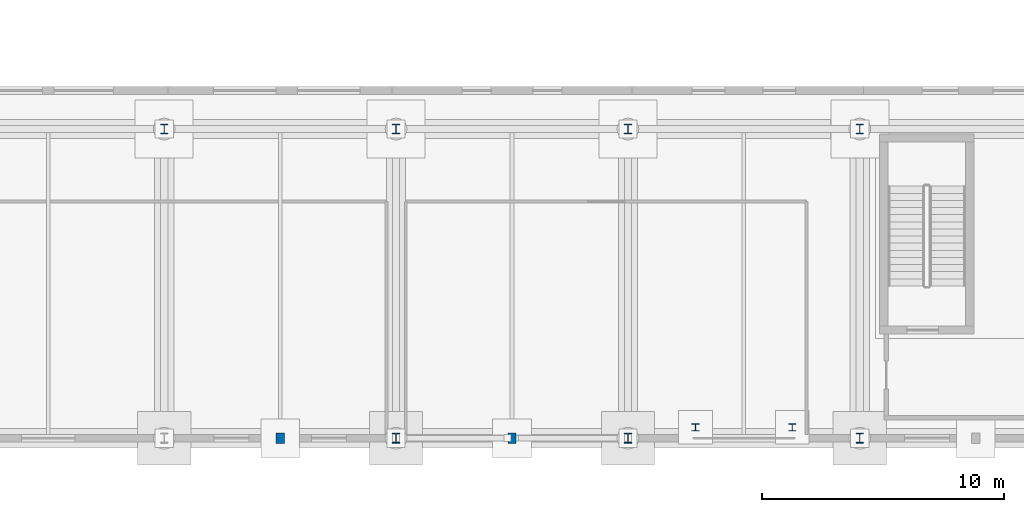
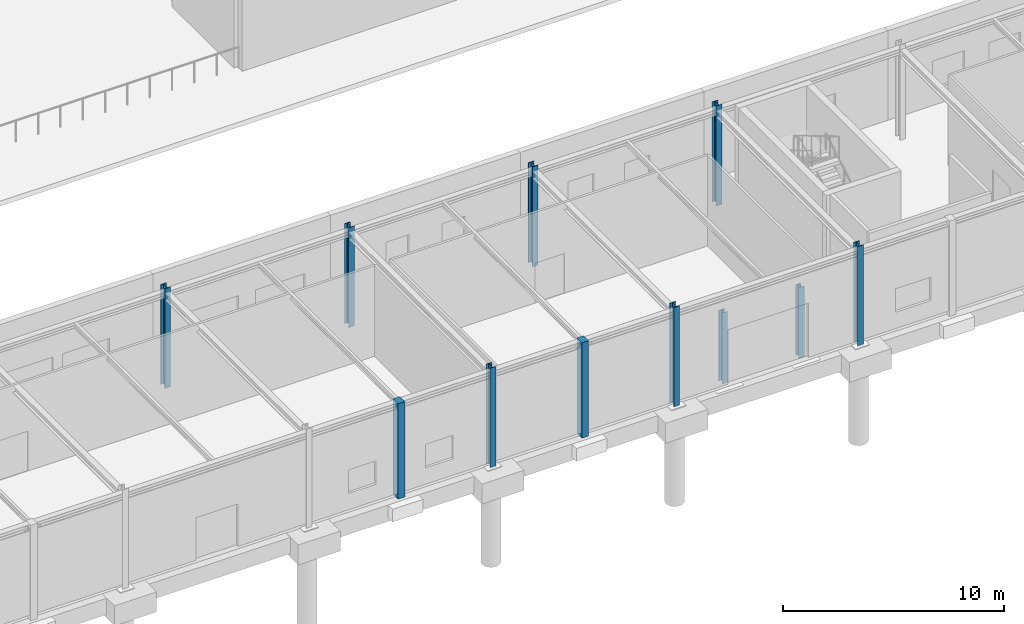
# One storey, part 5 of 109: 11 columns.
"""IFC4 building model written with IfcOpenShell, lengths in metres."""

from ifc_helpers import new_model, si_unit, direction, frame, origin, origin_2d, place, context, subcontext, project, spatial, rectangle, i_section, extrude, material, material_profile, profile_set, type_object, element, save


model = new_model("IFC4")

# Units and contexts
model_context = context("Model", 3, precision=1e-05, world=origin(), true_north=direction((0.0, 1.0)))
body_context = subcontext(model_context, "Body", "Model", "MODEL_VIEW")
ifc_project = project(units=[si_unit("LENGTHUNIT", "METRE"), si_unit("AREAUNIT", "SQUARE_METRE"), si_unit("VOLUMEUNIT", "CUBIC_METRE"), si_unit("PLANEANGLEUNIT", "RADIAN"), si_unit("MASSUNIT", "GRAM", prefix="KILO")], contexts=[model_context])

# Site, building, storey
site_placement = place(None, origin())
site = spatial("IfcSite", under=ifc_project, at=site_placement, CompositionType="ELEMENT")
building_placement = place(site_placement, origin())
building = spatial("IfcBuilding", under=site, at=building_placement, Name="Nordkorset Police Headquarters", CompositionType="ELEMENT")
storey_placement = place(building_placement, origin())
storey = spatial("IfcBuildingStorey", under=building, at=storey_placement, Name="L00", CompositionType="ELEMENT", Elevation=0.0)

# Columns
ifc_material_1 = material(Name="Steel S355J2", Category="steel")
ifc_material_profile_1 = material_profile(ifc_material_1, i_section(OverallWidth=0.300048828125, OverallDepth=0.300048828125, WebThickness=0.010986328125, FlangeThickness=0.01904296875, FilletRadius=0.027099609375, at=origin_2d()), Name="HEB 300")
ifc_profile_set_1 = profile_set([ifc_material_profile_1], Name="Steel S355J2")
column_type_1 = type_object("IfcColumnType", Name="Col_HEB_300", PredefinedType="COLUMN", material=ifc_profile_set_1)
for number, where, z_axis, x_axis, name in (
    (1, (50.800048828125, 0.449951171875, -0.27001953125), (0.0, 0.0, 1.0), (1.0, 0.0, 0.0), "Portal Jamb Post LNT-VG04-0"),
    (2, (54.800048828125, 0.449951171875, -0.27001953125), (0.0, 0.0, 1.0), (1.0, 0.0, 0.0), "Portal Jamb Post LNT-VG04-1"),
):
    element("IfcColumn", number, at=place(storey_placement, frame(where, z_axis=z_axis, x_axis=x_axis)), inside=storey, type_object=column_type_1, Name=name, PredefinedType="COLUMN", context=body_context, shape_type="SweptSolid", body=[
        extrude(i_section(OverallWidth=0.300048828125, OverallDepth=0.300048828125, WebThickness=0.010986328125, FlangeThickness=0.01904296875, FilletRadius=0.027099609375, at=origin_2d()), origin(), (0.0, 0.0, 1.0), 3.919921875),
    ])
ifc_material_2 = material(Name="Steel S355J2", Category="steel")
ifc_material_profile_2 = material_profile(ifc_material_2, i_section(OverallWidth=0.300048828125, OverallDepth=0.39990234375, WebThickness=0.013427734375, FlangeThickness=0.02392578125, FilletRadius=0.027099609375, at=origin_2d()), Name="HEB 400")
ifc_profile_set_2 = profile_set([ifc_material_profile_2], Name="Steel S355J2")
column_type_2 = type_object("IfcColumnType", Name="Col_HEB_400", PredefinedType="COLUMN", material=ifc_profile_set_2)
for number, where, z_axis, x_axis, name in (
    (3, (28.800048828125, 12.800048828125, -0.27001953125), (0.0, 0.0, 1.0), (1.0, 0.0, 0.0), "Structural Column V7_S1_3 L00"),
    (4, (38.39990234375, 0.0, -0.27001953125), (0.0, 0.0, 1.0), (1.0, 0.0, 0.0), "Structural Column V7_S0_4 L00"),
    (5, (38.39990234375, 12.800048828125, -0.27001953125), (0.0, 0.0, 1.0), (1.0, 0.0, 0.0), "Structural Column V7_S1_4 L00"),
    (6, (48.0, 0.0, -0.27001953125), (0.0, 0.0, 1.0), (1.0, 0.0, 0.0), "Structural Column V7_S0_5 L00"),
    (7, (48.0, 12.800048828125, -0.27001953125), (0.0, 0.0, 1.0), (1.0, 0.0, 0.0), "Structural Column V7_S1_5 L00"),
    (8, (57.60009765625, 0.0, -0.27001953125), (0.0, 0.0, 1.0), (1.0, 0.0, 0.0), "Structural Column V7_S0_6 L00"),
    (9, (57.60009765625, 12.800048828125, -0.27001953125), (0.0, 0.0, 1.0), (1.0, 0.0, 0.0), "Structural Column V7_S1_6 L00"),
):
    element("IfcColumn", number, at=place(storey_placement, frame(where, z_axis=z_axis, x_axis=x_axis)), inside=storey, type_object=column_type_2, Name=name, PredefinedType="COLUMN", context=body_context, shape_type="SweptSolid", body=[
        extrude(i_section(OverallWidth=0.300048828125, OverallDepth=0.39990234375, WebThickness=0.013427734375, FlangeThickness=0.02392578125, FilletRadius=0.027099609375, at=origin_2d()), origin(), (0.0, 0.0, 1.0), 5.52001953125),
    ])
ifc_material_3 = material(Name="Concrete C45/55", Category="concrete")
ifc_material_profile_3 = material_profile(ifc_material_3, rectangle(XDim=0.35009765625, YDim=0.449951171875, at=origin_2d()), Name="RC 450x350")
ifc_profile_set_3 = profile_set([ifc_material_profile_3], Name="Concrete C45/55")
column_type_3 = type_object("IfcColumnType", Name="Pilaster_RC_450x350", PredefinedType="PILASTER", material=ifc_profile_set_3)
for number, where, z_axis, x_axis, name in (
    (10, (33.60009765625, 0.0, -0.27001953125), (0.0, 0.0, 1.0), (1.0, 0.0, 0.0), "Perimeter Pilaster 03 L00"),
    (11, (43.199951171875, 0.0, -0.27001953125), (0.0, 0.0, 1.0), (1.0, 0.0, 0.0), "Perimeter Pilaster 04 L00"),
):
    element("IfcColumn", number, at=place(storey_placement, frame(where, z_axis=z_axis, x_axis=x_axis)), inside=storey, type_object=column_type_3, Name=name, PredefinedType="PILASTER", context=body_context, shape_type="SweptSolid", body=[
        extrude(rectangle(XDim=0.35009765625, YDim=0.449951171875, at=origin_2d()), origin(), (0.0, 0.0, 1.0), 5.27001953125),
    ])

save(model, "model.ifc")
